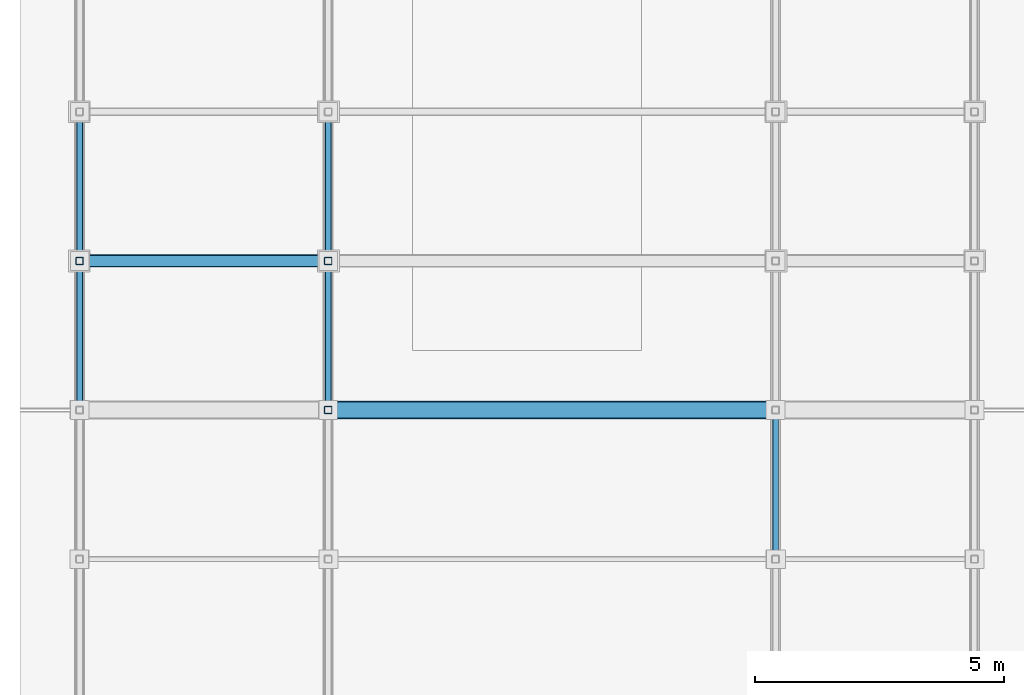
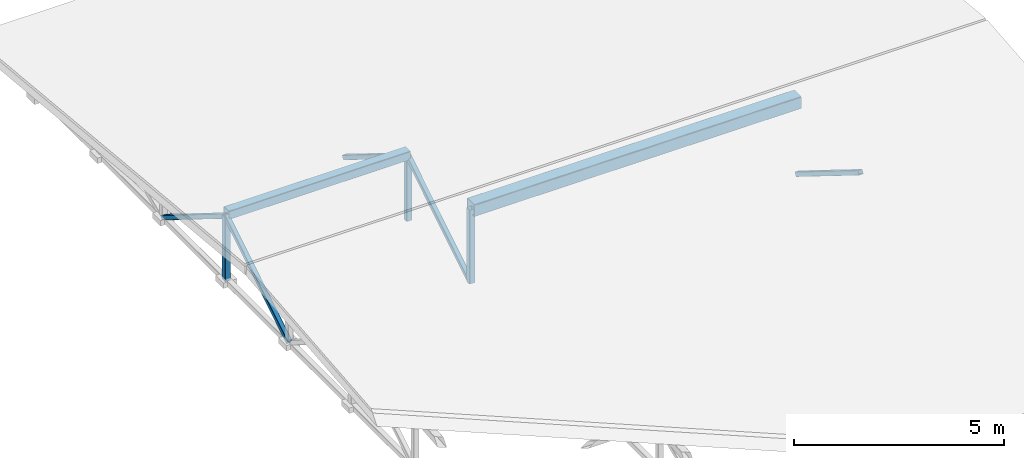
# One storey, part 12 of 25: 10 members.
"""IFC4 building model written with IfcOpenShell, lengths in metres."""

from ifc_helpers import new_model, si_unit, direction, frame, origin, origin_2d, place, context, subcontext, project, spatial, hollow_rectangle, extrude, material, material_profile, profile_set, type_object, element, save


model = new_model("IFC4")

# Units and contexts
model_context = context("Model", 3, precision=1e-05, world=origin(), true_north=direction((0.0, 1.0)))
body_context = subcontext(model_context, "Body", "Model", "MODEL_VIEW")
ifc_project = project(units=[si_unit("LENGTHUNIT", "METRE"), si_unit("AREAUNIT", "SQUARE_METRE"), si_unit("VOLUMEUNIT", "CUBIC_METRE"), si_unit("PLANEANGLEUNIT", "RADIAN"), si_unit("MASSUNIT", "GRAM", prefix="KILO"), si_unit("THERMODYNAMICTEMPERATUREUNIT", "KELVIN"), si_unit("POWERUNIT", "WATT")], contexts=[model_context])

# Site, building, storey
site_placement = place(None, origin())
site = spatial("IfcSite", under=ifc_project, at=site_placement, CompositionType="ELEMENT")
building_placement = place(site_placement, origin())
building = spatial("IfcBuilding", under=site, at=building_placement, Name="Zelmaris Science Centre", CompositionType="ELEMENT")
storey_placement = place(building_placement, frame((0.0, 0.0, 30.0)))
storey = spatial("IfcBuildingStorey", under=building, at=storey_placement, Name="RF", CompositionType="ELEMENT", Elevation=30.0)

# Members
ifc_material = material(Name="Steel ASTM A500 Grade C", Category="steel")
ifc_material_profile_1 = material_profile(ifc_material, hollow_rectangle(XDim=0.355712890625, YDim=0.355712890625, WallThickness=0.0146484375, InnerFilletRadius=0.0146484375, OuterFilletRadius=0.029296875, at=origin_2d()), Name="HSS356X356X16")
ifc_profile_set_1 = profile_set([ifc_material_profile_1], Name="Steel ASTM A500 Grade C")
member_type_1 = type_object("IfcMemberType", Name="Roof Purlin PR-08 HSS356X356X16", PredefinedType="PURLIN", material=ifc_profile_set_1)
member_1_placement = place(storey_placement, frame((63.0, 76.0, 2.51611328125), z_axis=(1.0, 0.0, 0.0), x_axis=(0.0, 1.0, 0.0)))
element("IfcMember", 1, at=member_1_placement, inside=storey, type_object=member_type_1, Name="RF-V5 Roof purlin 14", PredefinedType="PURLIN", context=body_context, shape_type="SweptSolid", body=[
    extrude(hollow_rectangle(XDim=0.355712890625, YDim=0.355712890625, WallThickness=0.0146484375, InnerFilletRadius=0.0146484375, OuterFilletRadius=0.029296875, at=origin_2d()), origin(), (0.0, 0.0, 1.0), 9.0),
])
ifc_material_profile_2 = material_profile(ifc_material, hollow_rectangle(XDim=0.25390625, YDim=0.25390625, WallThickness=0.01171875, InnerFilletRadius=0.01171875, OuterFilletRadius=0.023681640625, at=origin_2d()), Name="HSS254X254X13")
ifc_profile_set_2 = profile_set([ifc_material_profile_2], Name="Steel ASTM A500 Grade C")
member_type_2 = type_object("IfcMemberType", Name="Roof Purlin PR-09 HSS254X254X13", PredefinedType="PURLIN", material=ifc_profile_set_2)
member_2_placement = place(storey_placement, frame((58.0, 79.0, 2.279296875), z_axis=(1.0, 0.0, 0.0), x_axis=(0.0, 1.0, 0.0)))
element("IfcMember", 2, at=member_2_placement, inside=storey, type_object=member_type_2, Name="RF-V5 Roof purlin 6", PredefinedType="PURLIN", context=body_context, shape_type="SweptSolid", body=[
    extrude(hollow_rectangle(XDim=0.25390625, YDim=0.25390625, WallThickness=0.01171875, InnerFilletRadius=0.01171875, OuterFilletRadius=0.023681640625, at=origin_2d()), origin(), (0.0, 0.0, 1.0), 5.0),
])
ifc_material_profile_3 = material_profile(ifc_material, hollow_rectangle(XDim=0.15234375, YDim=0.15234375, WallThickness=0.0087890625, InnerFilletRadius=0.0087890625, OuterFilletRadius=0.017822265625, at=origin_2d()), Name="HSS152X152X10")
ifc_profile_set_3 = profile_set([ifc_material_profile_3], Name="Steel ASTM A500 Grade C")
member_type_3 = type_object("IfcMemberType", Name="Structural Brace BR-03 HSS152X152X10", PredefinedType="BRACE", material=ifc_profile_set_3)
member_3_placement = place(storey_placement, frame((58.0, 79.0, 0.347412109375), z_axis=(0.0, 0.0, 1.0), x_axis=(1.0, 0.0, 0.0)))
element("IfcMember", 3, at=member_3_placement, inside=storey, type_object=member_type_3, Name="RF-V5 Roof truss 1 vertical web 5", PredefinedType="BRACE", context=body_context, shape_type="SweptSolid", body=[
    extrude(hollow_rectangle(XDim=0.15234375, YDim=0.15234375, WallThickness=0.0087890625, InnerFilletRadius=0.0087890625, OuterFilletRadius=0.017822265625, at=origin_2d()), origin(), (0.0, 0.0, 1.0), 1.8623046875),
])
member_4_placement = place(storey_placement, frame((63.0, 76.0, 0.347412109375), z_axis=(0.0, 0.0, 1.0), x_axis=(1.0, 0.0, 0.0)))
element("IfcMember", 4, at=member_4_placement, inside=storey, type_object=member_type_3, Name="RF-V5 Roof truss 2 vertical web 4", PredefinedType="BRACE", context=body_context, shape_type="SweptSolid", body=[
    extrude(hollow_rectangle(XDim=0.15234375, YDim=0.15234375, WallThickness=0.0087890625, InnerFilletRadius=0.0087890625, OuterFilletRadius=0.017822265625, at=origin_2d()), origin(), (0.0, 0.0, 1.0), 2.14990234375),
])
member_5_placement = place(storey_placement, frame((63.0, 79.0, 0.347412109375), z_axis=(0.0, 0.0, 1.0), x_axis=(1.0, 0.0, 0.0)))
element("IfcMember", 5, at=member_5_placement, inside=storey, type_object=member_type_3, Name="RF-V5 Roof truss 2 vertical web 5", PredefinedType="BRACE", context=body_context, shape_type="SweptSolid", body=[
    extrude(hollow_rectangle(XDim=0.15234375, YDim=0.15234375, WallThickness=0.0087890625, InnerFilletRadius=0.0087890625, OuterFilletRadius=0.017822265625, at=origin_2d()), origin(), (0.0, 0.0, 1.0), 1.8623046875),
])
ifc_material_profile_4 = material_profile(ifc_material, hollow_rectangle(XDim=0.126953125, YDim=0.126953125, WallThickness=0.00732421875, InnerFilletRadius=0.00732421875, OuterFilletRadius=0.014892578125, at=origin_2d()), Name="HSS127X127X8")
ifc_profile_set_4 = profile_set([ifc_material_profile_4], Name="Steel ASTM A500 Grade C")
member_type_4 = type_object("IfcMemberType", Name="Structural Brace BR-04 HSS127X127X8", PredefinedType="BRACE", material=ifc_profile_set_4)
for number, where, z_axis, x_axis, name in (
    (6, (58.0, 76.0, 0.347412109375), (0.0, 0.84961025299, 0.52741105223), (-1.0, 0.0, 0.0), "RF-V5 Roof truss 1 web diagonal 5"),
    (7, (58.0, 79.0, 2.209716796875), (0.0, 0.84961025299, -0.52741105223), (-1.0, 0.0, 0.0), "RF-V5 Roof truss 1 web diagonal 6"),
    (8, (63.0, 76.0, 0.347412109375), (0.0, 0.84961025299, 0.52741105223), (-1.0, 0.0, 0.0), "RF-V5 Roof truss 2 web diagonal 5"),
    (9, (63.0, 79.0, 2.209716796875), (0.0, 0.84961025299, -0.52741105223), (-1.0, 0.0, 0.0), "RF-V5 Roof truss 2 web diagonal 6"),
    (10, (72.0, 73.0, 2.209716796875), (0.0, 0.84961025299, -0.52741105223), (-1.0, 0.0, 0.0), "RF-V5 Roof truss 3 web diagonal 4"),
):
    element("IfcMember", number, at=place(storey_placement, frame(where, z_axis=z_axis, x_axis=x_axis)), inside=storey, type_object=member_type_4, Name=name, PredefinedType="BRACE", context=body_context, shape_type="SweptSolid", body=[
        extrude(hollow_rectangle(XDim=0.126953125, YDim=0.126953125, WallThickness=0.00732421875, InnerFilletRadius=0.00732421875, OuterFilletRadius=0.014892578125, at=origin_2d()), origin(), (0.0, 0.0, 1.0), 3.531005859375),
    ])

save(model, "model.ifc")
